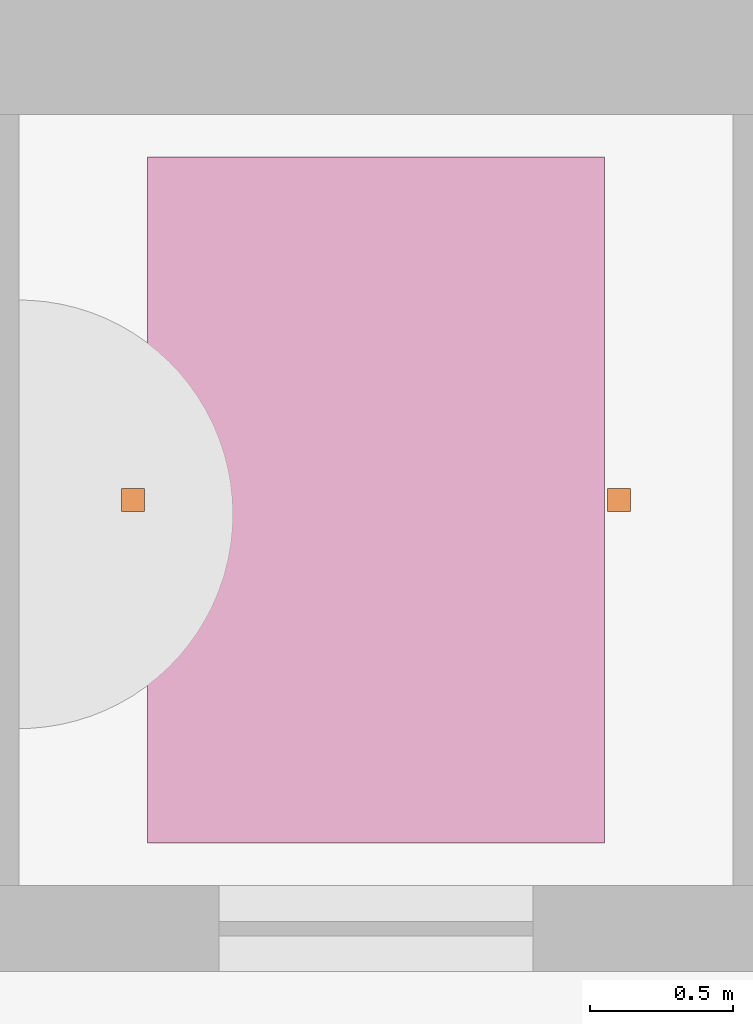
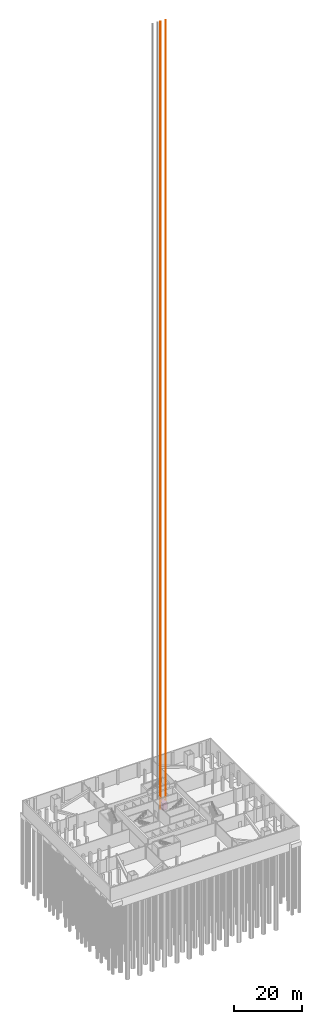
# One storey, part 8 of 8: 2 proxies, 1 transport element.
"""IFC4 building model written with IfcOpenShell, lengths in metres."""

from ifc_helpers import new_model, si_unit, direction, frame, origin, origin_2d, place, context, subcontext, project, spatial, rectangle, extrude, material, type_object, element, aggregate, save


model = new_model("IFC4")

# Units and contexts
model_context = context("Model", 3, precision=1e-05, world=origin(), true_north=direction((0.0, 1.0)))
body_context = subcontext(model_context, "Body", "Model", "MODEL_VIEW")
ifc_project = project(units=[si_unit("LENGTHUNIT", "METRE"), si_unit("AREAUNIT", "SQUARE_METRE"), si_unit("VOLUMEUNIT", "CUBIC_METRE"), si_unit("PLANEANGLEUNIT", "RADIAN"), si_unit("MASSUNIT", "GRAM", prefix="KILO")], contexts=[model_context])

# Site, building, storey
site_placement = place(None, origin())
site = spatial("IfcSite", under=ifc_project, at=site_placement, CompositionType="ELEMENT")
building_placement = place(site_placement, origin())
building = spatial("IfcBuilding", under=site, at=building_placement, Name="Turquesa Mirador Hotel Tower", CompositionType="ELEMENT")
storey_placement = place(building_placement, frame((0.0, 0.0, -5.0)))
storey = spatial("IfcBuildingStorey", under=building, at=storey_placement, Name="B1", CompositionType="ELEMENT", Elevation=-5.0)

# Transport element, proxies
ifc_material_1 = material(Name="Stainless steel lift car", Category="steel")
transport_element_type = type_object("IfcTransportElementType", Name="FIREFIGHTING AND SERVICE LIFT 1800 KG", PredefinedType="ELEVATOR", material=ifc_material_1)
transport_element_placement = place(storey_placement, frame((60.449951171875, 53.050048828125, 0.0), z_axis=(0.0, 0.0, 1.0), x_axis=(1.0, 0.0, 0.0)))
transport_element = element("IfcTransportElement", 1, at=transport_element_placement, inside=storey, type_object=transport_element_type, Name="Lift S2", PredefinedType="ELEVATOR", context=body_context, shape_type="SweptSolid", body=[
    extrude(rectangle(XDim=1.60009765625, YDim=2.39990234375, at=origin_2d()), origin(), (0.0, 0.0, 1.0), 2.39990234375),
])
ifc_material_2 = material(Name="Steel ASTM A992 Grade 50", Category="steel")
building_element_proxy_type = type_object("IfcBuildingElementProxyType", Name="LIFT GUIDE RAIL 80X80", PredefinedType="USERDEFINED", material=ifc_material_2)
proxy_1_placement = place(storey_placement, frame((59.60009765625, 53.050048828125, 0.0), z_axis=(0.0, 0.0, 1.0), x_axis=(1.0, 0.0, 0.0)))
proxy_1 = element("IfcBuildingElementProxy", 2, at=proxy_1_placement, type_object=building_element_proxy_type, Name="Lift S2 guide rail 1", ObjectType="LIFT GUIDE RAIL", PredefinedType="USERDEFINED", context=body_context, shape_type="SweptSolid", body=[
    extrude(rectangle(XDim=0.080078125, YDim=0.080078125, at=origin_2d()), origin(), (0.0, 0.0, 1.0), 282.10009765625),
])
proxy_2_placement = place(storey_placement, frame((61.300048828125, 53.050048828125, 0.0), z_axis=(0.0, 0.0, 1.0), x_axis=(1.0, 0.0, 0.0)))
proxy_2 = element("IfcBuildingElementProxy", 3, at=proxy_2_placement, type_object=building_element_proxy_type, Name="Lift S2 guide rail 2", ObjectType="LIFT GUIDE RAIL", PredefinedType="USERDEFINED", context=body_context, shape_type="SweptSolid", body=[
    extrude(rectangle(XDim=0.080078125, YDim=0.080078125, at=origin_2d()), origin(), (0.0, 0.0, 1.0), 282.10009765625),
])
aggregate(transport_element, [proxy_1, proxy_2])

save(model, "model.ifc")
